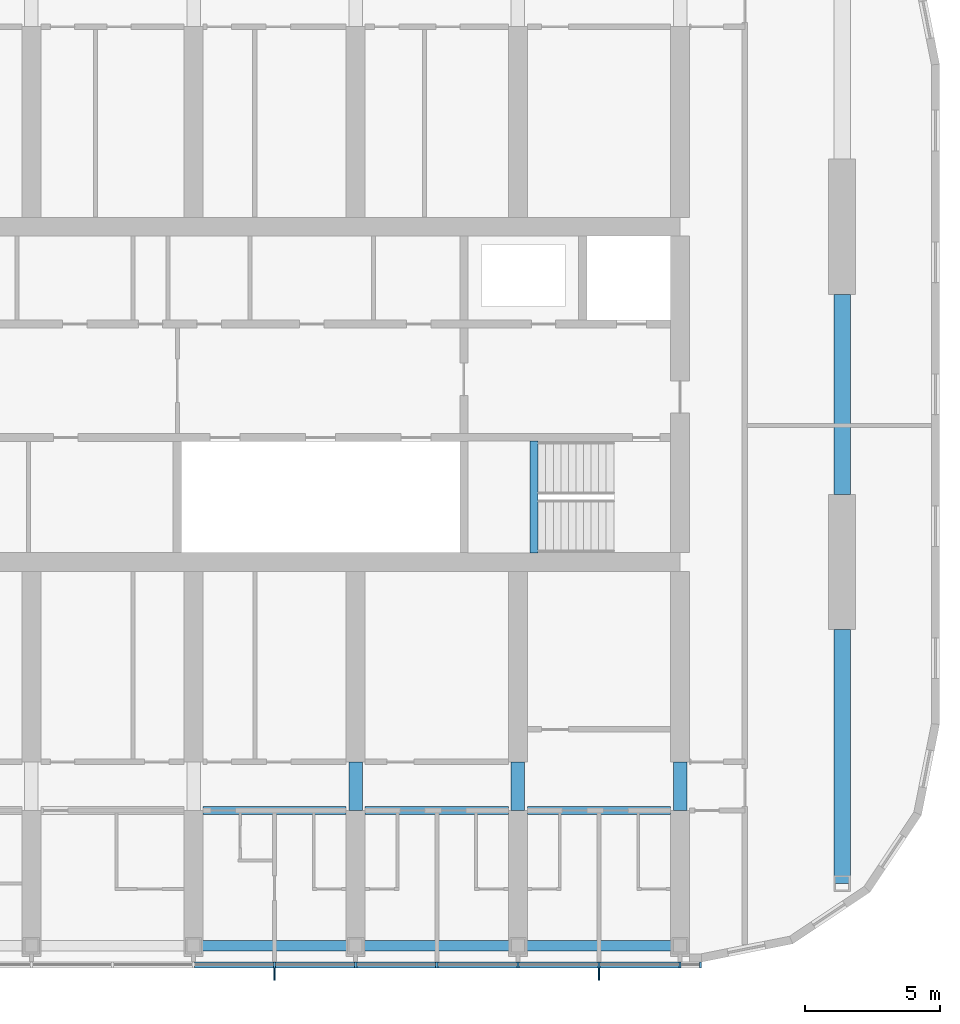
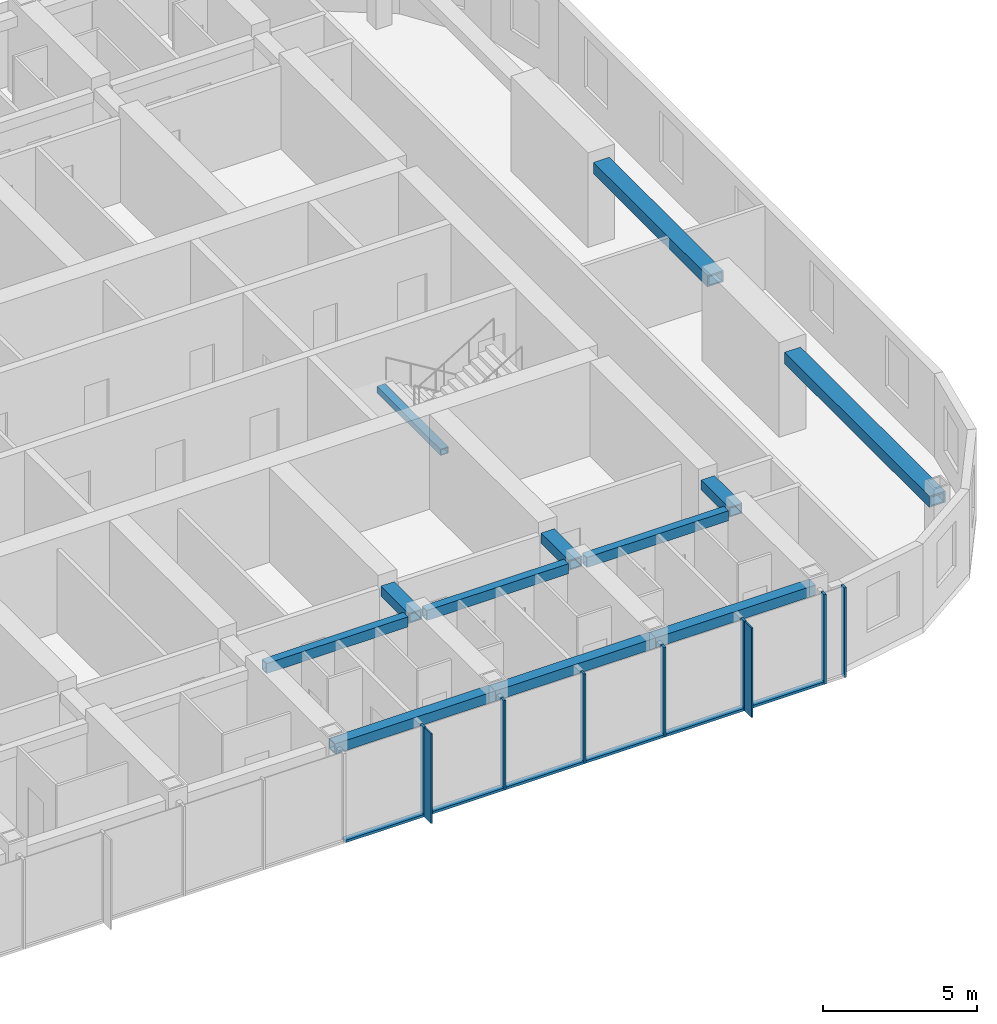
# One storey, part 3 of 24: 15 members, 12 beams, 1 element without a shape of its own.
"""IFC4 building model written with IfcOpenShell, lengths in metres."""

import ifcopenshell
import ifcopenshell.guid

model = None  # the IFC model being written
_history = None  # IfcOwnerHistory: only IFC2X3 demands one
_inside = {}  # id of a spatial element -> (the spatial element, [elements in it])
_under = {}  # id of a project, library or spatial element -> (it, [spatial elements below it])
_declared = {}  # id of a project -> (the project, [libraries it declares])
_typed = {}  # id of a type object -> (the type object, [elements of that type])
_made_of = {}  # id of a material, layer set ... -> (it, [elements and type objects made of it])


def new_model(schema):
    """Start an empty IFC model of exactly this schema.

    Asked for "IFC4X3", IfcOpenShell would pick the latest addendum, in which some entities
    have other attributes; the version numbers below select the first issue.
    IFC2X3 requires an IfcOwnerHistory on every rooted entity: one is made here for all.
    """
    global model, _history
    if schema == "IFC4X3":
        model = ifcopenshell.file(schema_version=(4, 3, 0, 0))
    else:
        model = ifcopenshell.file(schema=schema)
    _inside.clear()
    _under.clear()
    _declared.clear()
    _typed.clear()
    _made_of.clear()
    _history = None
    if model.schema == "IFC2X3":
        org = make("IfcOrganization", Name="unknown")
        user = make(
            "IfcPersonAndOrganization",
            ThePerson=make("IfcPerson", FamilyName="unknown"),
            TheOrganization=org,
        )
        app = make(
            "IfcApplication",
            ApplicationDeveloper=org,
            Version="unknown",
            ApplicationFullName="unknown",
            ApplicationIdentifier="unknown",
        )
        _history = make(
            "IfcOwnerHistory",
            OwningUser=user,
            OwningApplication=app,
            ChangeAction="ADDED",
            CreationDate=0,
        )
    return model


def make(cls, **values):
    """One entity of the class cls with the attributes given. An attribute that is None is left unset."""
    return model.create_entity(
        cls, **{name: value for name, value in values.items() if value is not None}
    )


def rooted(cls, **values):
    """An entity with a GlobalId (a new one), such as an element, a storey or a relation."""
    return make(cls, GlobalId=ifcopenshell.guid.new(), OwnerHistory=_history, **values)


def si_unit(unit_type, name, prefix=None):
    """IfcSIUnit, for example si_unit("LENGTHUNIT", "METRE", prefix="MILLI")."""
    return make("IfcSIUnit", UnitType=unit_type, Prefix=prefix, Name=name)


def assignment(units):
    """IfcUnitAssignment: the units of a project."""
    return None if units is None else make("IfcUnitAssignment", Units=units)


def point(xyz):
    """IfcCartesianPoint."""
    return None if xyz is None else make("IfcCartesianPoint", Coordinates=xyz)


def direction(xyz):
    """IfcDirection."""
    return None if xyz is None else make("IfcDirection", DirectionRatios=xyz)


def frame(location, z_axis=None, x_axis=None):
    """IfcAxis2Placement3D, a coordinate frame: its origin and axes. An axis left out is left unset."""
    return make(
        "IfcAxis2Placement3D",
        Location=point(location),
        Axis=direction(z_axis),
        RefDirection=direction(x_axis),
    )


def frame_2d(location, x_axis=None):
    """IfcAxis2Placement2D, a coordinate frame in the plane: its origin and x axis."""
    return make(
        "IfcAxis2Placement2D", Location=point(location), RefDirection=direction(x_axis)
    )


def origin():
    """The frame at (0, 0, 0) with its axes left unset."""
    return frame((0.0, 0.0, 0.0))


def origin_2d():
    """The frame at (0, 0) in the plane with its x axis left unset."""
    return frame_2d((0.0, 0.0))


def place(relative_to, where):
    """IfcLocalPlacement: puts the frame where relative to a parent placement (None: the world)."""
    return make(
        "IfcLocalPlacement", PlacementRelTo=relative_to, RelativePlacement=where
    )


def context(
    kind, dimensions, precision=None, world=None, true_north=None, identifier=None
):
    """IfcGeometricRepresentationContext, for example the 3D "Model" context."""
    return make(
        "IfcGeometricRepresentationContext",
        ContextIdentifier=identifier,
        ContextType=kind,
        CoordinateSpaceDimension=dimensions,
        Precision=precision,
        WorldCoordinateSystem=world,
        TrueNorth=true_north,
    )


def subcontext(parent, identifier, kind, view, scale=None):
    """IfcGeometricRepresentationSubContext, for example "Body" below "Model"."""
    return make(
        "IfcGeometricRepresentationSubContext",
        ContextIdentifier=identifier,
        ContextType=kind,
        ParentContext=parent,
        TargetScale=scale,
        TargetView=view,
    )


def project(units=None, contexts=None):
    """IfcProject with its units and contexts."""
    return rooted(
        "IfcProject",
        Name="project",
        RepresentationContexts=contexts,
        UnitsInContext=assignment(units),
    )


def spatial(cls, under=None, at=None, **own):
    """A site, building, storey or space (cls), placed at a placement, below another one or the project."""
    s = rooted(cls, ObjectPlacement=at, **own)
    if under is not None:
        _under.setdefault(under.id(), (under, []))[1].append(s)
    return s


def profile(cls, at=None, kind="AREA", **sizes):
    """A parametric profile (cls). Its sizes go by their IFC names, for example OverallWidth=200.0."""
    return make(cls, ProfileType=kind, Position=at, **sizes)


def rectangle(**sizes):
    """IfcRectangleProfileDef."""
    return profile("IfcRectangleProfileDef", **sizes)


def hollow_rectangle(**sizes):
    """IfcRectangleHollowProfileDef."""
    return profile("IfcRectangleHollowProfileDef", **sizes)


def extrude(swept, where, along, depth):
    """IfcExtrudedAreaSolid: the profile swept, set in the frame where, extruded along a direction by depth."""
    return make(
        "IfcExtrudedAreaSolid",
        SweptArea=swept,
        Position=where,
        ExtrudedDirection=direction(along),
        Depth=depth,
    )


def shape(context_of_items, identifier, shape_type, items):
    """IfcShapeRepresentation: the items that make up one representation, for example the "Body"."""
    return make(
        "IfcShapeRepresentation",
        ContextOfItems=context_of_items,
        RepresentationIdentifier=identifier,
        RepresentationType=shape_type,
        Items=items,
    )


def material(Name=None, Category=None):
    """IfcMaterial."""
    return make("IfcMaterial", Name=Name, Category=Category)


def material_profile(
    of_material, cross_section, Name=None, Category=None, Priority=None
):
    """IfcMaterialProfile: a cross section and its material."""
    return make(
        "IfcMaterialProfile",
        Name=Name,
        Material=of_material,
        Profile=cross_section,
        Priority=Priority,
        Category=Category,
    )


def profile_set(profiles, Name=None, composite=None):
    """IfcMaterialProfileSet."""
    return make(
        "IfcMaterialProfileSet",
        Name=Name,
        MaterialProfiles=profiles,
        CompositeProfile=composite,
    )


def made_of(thing, what):
    """Note that an element or type object is made of a material, layer set ...; save() writes the relation."""
    if what is not None:
        _made_of.setdefault(what.id(), (what, []))[1].append(thing)
    return thing


def type_object(cls, material=None, **own):
    """A type object (cls), such as IfcWallType, which elements share."""
    return made_of(rooted(cls, **own), material)


def element(
    cls,
    number,
    at=None,
    inside=None,
    cuts=None,
    type_object=None,
    material=None,
    context=None,
    identifier="Body",
    shape_type=None,
    held_by="IfcProductDefinitionShape",
    body=None,
    shapes=None,
    **own,
):
    """One element of the class cls, such as IfcWall. Its Tag is "e" and its number.

    at: its placement. inside: the storey or other place that contains it. cuts: it is an
    opening in that element (IfcRelVoidsElement). A single representation is given by context,
    identifier, shape_type and body (its items); several are given by shapes. held_by: the class
    of the entity that holds the representations. save() writes the other relations.
    """
    e = rooted(cls, Tag="e%d" % number, ObjectPlacement=at, **own)
    if body is not None:
        shapes = [shape(context, identifier, shape_type, body)]
    if shapes is not None:
        e.Representation = make(held_by, Representations=shapes)
    if inside is not None:
        _inside.setdefault(inside.id(), (inside, []))[1].append(e)
    if cuts is not None:
        rooted(
            "IfcRelVoidsElement", RelatingBuildingElement=cuts, RelatedOpeningElement=e
        )
    if type_object is not None:
        _typed.setdefault(type_object.id(), (type_object, []))[1].append(e)
    return made_of(e, material)


def aggregate(whole, parts):
    """IfcRelAggregates: a whole, such as a stair, and the parts it consists of."""
    return rooted("IfcRelAggregates", RelatingObject=whole, RelatedObjects=parts)


def save(model, path):
    """Write the relations noted so far, then the file.

    IfcRelAggregates (storeys below a building ...), IfcRelContainedInSpatialStructure (elements
    in a storey), IfcRelDefinesByType, IfcRelAssociatesMaterial and IfcRelDeclares: one each for
    every whole, place, type object, material and project.
    """
    for whole, parts in _under.values():
        aggregate(whole, parts)
    for where, things in _inside.values():
        rooted(
            "IfcRelContainedInSpatialStructure",
            RelatedElements=things,
            RelatingStructure=where,
        )
    for kind, things in _typed.values():
        rooted("IfcRelDefinesByType", RelatedObjects=things, RelatingType=kind)
    for what, things in _made_of.values():
        rooted("IfcRelAssociatesMaterial", RelatedObjects=things, RelatingMaterial=what)
    for by, libraries in _declared.values():
        rooted("IfcRelDeclares", RelatingContext=by, RelatedDefinitions=libraries)
    model.write(path)


model = new_model("IFC4")

# Units and contexts
model_context = context("Model", 3, precision=1e-05, world=origin(), true_north=direction((0.0, 1.0)))
body_context = subcontext(model_context, "Body", "Model", "MODEL_VIEW")
ifc_project = project(units=[si_unit("LENGTHUNIT", "METRE"), si_unit("AREAUNIT", "SQUARE_METRE"), si_unit("VOLUMEUNIT", "CUBIC_METRE"), si_unit("PLANEANGLEUNIT", "RADIAN"), si_unit("MASSUNIT", "GRAM", prefix="KILO")], contexts=[model_context])

# Site, building, storey
site_placement = place(None, origin())
site = spatial("IfcSite", under=ifc_project, at=site_placement, CompositionType="ELEMENT")
building_placement = place(site_placement, origin())
building = spatial("IfcBuilding", under=site, at=building_placement, Name="Orbita Commons", CompositionType="ELEMENT")
storey_placement = place(building_placement, frame((0.0, 0.0, 242.800048828125)))
storey = spatial("IfcBuildingStorey", under=building, at=storey_placement, Name="L60", CompositionType="ELEMENT", Elevation=242.800048828125)

# Curtain wall, members
ifc_material_1 = material(Name="Anodised aluminium frame, pale silver", Category="aluminium")
curtain_wall_type = type_object("IfcCurtainWallType", Name="Unitised curtain wall CW-U, full-height vision", PredefinedType="NOTDEFINED", material=ifc_material_1)
curtain_wall_placement = place(storey_placement, origin())
curtain_wall = element("IfcCurtainWall", 1, at=curtain_wall_placement, inside=storey, type_object=curtain_wall_type, Name="Curtain wall south L60", PredefinedType="NOTDEFINED")
ifc_material_2 = material(Name="Anodised aluminium, pale silver", Category="aluminium")
ifc_material_profile_1 = material_profile(ifc_material_2, rectangle(XDim=0.080078125, YDim=0.219970703125, at=origin_2d()), Name="AL 80x220")
ifc_profile_set_1 = profile_set([ifc_material_profile_1], Name="Anodised aluminium, pale silver")
member_type_1 = type_object("IfcMemberType", Name="Curtain wall mullion 80x220", PredefinedType="MULLION", material=ifc_profile_set_1)
member_1_placement = place(storey_placement, frame((51.0, 10.889892578125, -0.25), z_axis=(0.0, 0.0, 1.0), x_axis=(1.0, 0.0, 0.0)))
member_1 = element("IfcMember", 2, at=member_1_placement, type_object=member_type_1, Name="Mullion 13 CW-L60-S", PredefinedType="MULLION", context=body_context, shape_type="SweptSolid", body=[
    extrude(rectangle(XDim=0.080078125, YDim=0.219970703125, at=origin_2d()), origin(), (0.0, 0.0, 1.0), 3.550048828125),
])
member_2_placement = place(storey_placement, frame((54.0, 10.889892578125, -0.25), z_axis=(0.0, 0.0, 1.0), x_axis=(1.0, 0.0, 0.0)))
member_2 = element("IfcMember", 3, at=member_2_placement, type_object=member_type_1, Name="Mullion 14 CW-L60-S", PredefinedType="MULLION", context=body_context, shape_type="SweptSolid", body=[
    extrude(rectangle(XDim=0.080078125, YDim=0.219970703125, at=origin_2d()), origin(), (0.0, 0.0, 1.0), 3.550048828125),
])
member_3_placement = place(storey_placement, frame((57.0, 10.889892578125, -0.25), z_axis=(0.0, 0.0, 1.0), x_axis=(1.0, 0.0, 0.0)))
member_3 = element("IfcMember", 4, at=member_3_placement, type_object=member_type_1, Name="Mullion 15 CW-L60-S", PredefinedType="MULLION", context=body_context, shape_type="SweptSolid", body=[
    extrude(rectangle(XDim=0.080078125, YDim=0.219970703125, at=origin_2d()), origin(), (0.0, 0.0, 1.0), 3.550048828125),
])
member_4_placement = place(storey_placement, frame((60.0, 10.889892578125, -0.25), z_axis=(0.0, 0.0, 1.0), x_axis=(1.0, 0.0, 0.0)))
member_4 = element("IfcMember", 5, at=member_4_placement, type_object=member_type_1, Name="Mullion 16 CW-L60-S", PredefinedType="MULLION", context=body_context, shape_type="SweptSolid", body=[
    extrude(rectangle(XDim=0.080078125, YDim=0.219970703125, at=origin_2d()), origin(), (0.0, 0.0, 1.0), 3.550048828125),
])
member_5_placement = place(storey_placement, frame((63.0, 10.889892578125, -0.25), z_axis=(0.0, 0.0, 1.0), x_axis=(1.0, 0.0, 0.0)))
member_5 = element("IfcMember", 6, at=member_5_placement, type_object=member_type_1, Name="Mullion 17 CW-L60-S", PredefinedType="MULLION", context=body_context, shape_type="SweptSolid", body=[
    extrude(rectangle(XDim=0.080078125, YDim=0.219970703125, at=origin_2d()), origin(), (0.0, 0.0, 1.0), 3.550048828125),
])
member_6_placement = place(storey_placement, frame((66.0, 10.889892578125, -0.25), z_axis=(0.0, 0.0, 1.0), x_axis=(1.0, 0.0, 0.0)))
member_6 = element("IfcMember", 7, at=member_6_placement, type_object=member_type_1, Name="Mullion 18 CW-L60-S", PredefinedType="MULLION", context=body_context, shape_type="SweptSolid", body=[
    extrude(rectangle(XDim=0.080078125, YDim=0.219970703125, at=origin_2d()), origin(), (0.0, 0.0, 1.0), 3.550048828125),
])
member_7_placement = place(storey_placement, frame((66.760009765625, 10.889892578125, -0.25), z_axis=(0.0, 0.0, 1.0), x_axis=(1.0, 0.0, 0.0)))
member_7 = element("IfcMember", 8, at=member_7_placement, type_object=member_type_1, Name="Mullion 19 CW-L60-S", PredefinedType="MULLION", context=body_context, shape_type="SweptSolid", body=[
    extrude(rectangle(XDim=0.080078125, YDim=0.219970703125, at=origin_2d()), origin(), (0.0, 0.0, 1.0), 3.550048828125),
])
ifc_material_3 = material(Name="Anodised aluminium, pale silver", Category="aluminium")
ifc_material_profile_2 = material_profile(ifc_material_3, rectangle(XDim=0.219970703125, YDim=0.10009765625, at=origin_2d()), Name="AL 220x100")
ifc_profile_set_2 = profile_set([ifc_material_profile_2], Name="Anodised aluminium, pale silver")
member_type_2 = type_object("IfcMemberType", Name="Curtain wall stack transom 220x100", PredefinedType="USERDEFINED", material=ifc_profile_set_2)
member_8_placement = place(storey_placement, frame((48.0400390625, 10.889892578125, -0.199951171875), z_axis=(1.0, 0.0, 0.0), x_axis=(0.0, 1.0, 0.0)))
member_8 = element("IfcMember", 9, at=member_8_placement, type_object=member_type_2, Name="Transom 12.1 CW-L60-S", ObjectType="TRANSOM", PredefinedType="USERDEFINED", context=body_context, shape_type="SweptSolid", body=[
    extrude(rectangle(XDim=0.219970703125, YDim=0.10009765625, at=origin_2d()), origin(), (0.0, 0.0, 1.0), 2.919921875),
])
member_9_placement = place(storey_placement, frame((51.0400390625, 10.889892578125, -0.199951171875), z_axis=(1.0, 0.0, 0.0), x_axis=(0.0, 1.0, 0.0)))
member_9 = element("IfcMember", 10, at=member_9_placement, type_object=member_type_2, Name="Transom 13.1 CW-L60-S", ObjectType="TRANSOM", PredefinedType="USERDEFINED", context=body_context, shape_type="SweptSolid", body=[
    extrude(rectangle(XDim=0.219970703125, YDim=0.10009765625, at=origin_2d()), origin(), (0.0, 0.0, 1.0), 2.919921875),
])
member_10_placement = place(storey_placement, frame((54.0400390625, 10.889892578125, -0.199951171875), z_axis=(1.0, 0.0, 0.0), x_axis=(0.0, 1.0, 0.0)))
member_10 = element("IfcMember", 11, at=member_10_placement, type_object=member_type_2, Name="Transom 14.1 CW-L60-S", ObjectType="TRANSOM", PredefinedType="USERDEFINED", context=body_context, shape_type="SweptSolid", body=[
    extrude(rectangle(XDim=0.219970703125, YDim=0.10009765625, at=origin_2d()), origin(), (0.0, 0.0, 1.0), 2.919921875),
])
member_11_placement = place(storey_placement, frame((57.0400390625, 10.889892578125, -0.199951171875), z_axis=(1.0, 0.0, 0.0), x_axis=(0.0, 1.0, 0.0)))
member_11 = element("IfcMember", 12, at=member_11_placement, type_object=member_type_2, Name="Transom 15.1 CW-L60-S", ObjectType="TRANSOM", PredefinedType="USERDEFINED", context=body_context, shape_type="SweptSolid", body=[
    extrude(rectangle(XDim=0.219970703125, YDim=0.10009765625, at=origin_2d()), origin(), (0.0, 0.0, 1.0), 2.919921875),
])
member_12_placement = place(storey_placement, frame((60.0400390625, 10.889892578125, -0.199951171875), z_axis=(1.0, 0.0, 0.0), x_axis=(0.0, 1.0, 0.0)))
member_12 = element("IfcMember", 13, at=member_12_placement, type_object=member_type_2, Name="Transom 16.1 CW-L60-S", ObjectType="TRANSOM", PredefinedType="USERDEFINED", context=body_context, shape_type="SweptSolid", body=[
    extrude(rectangle(XDim=0.219970703125, YDim=0.10009765625, at=origin_2d()), origin(), (0.0, 0.0, 1.0), 2.919921875),
])
member_13_placement = place(storey_placement, frame((63.0400390625, 10.889892578125, -0.199951171875), z_axis=(1.0, 0.0, 0.0), x_axis=(0.0, 1.0, 0.0)))
member_13 = element("IfcMember", 14, at=member_13_placement, type_object=member_type_2, Name="Transom 17.1 CW-L60-S", ObjectType="TRANSOM", PredefinedType="USERDEFINED", context=body_context, shape_type="SweptSolid", body=[
    extrude(rectangle(XDim=0.219970703125, YDim=0.10009765625, at=origin_2d()), origin(), (0.0, 0.0, 1.0), 2.919921875),
])

# Beams
ifc_material_4 = material(Name="Steel ASTM A572 Gr 50 welded plate", Category="steel")
ifc_material_profile_3 = material_profile(ifc_material_4, hollow_rectangle(XDim=0.300048828125, YDim=0.25, WallThickness=0.02490234375, at=origin_2d()), Name="BOX 250x300x25")
ifc_profile_set_3 = profile_set([ifc_material_profile_3], Name="Steel ASTM A572 Gr 50 welded plate")
beam_type_1 = type_object("IfcBeamType", Name="Stair landing beam steel BOX 250x300x25", PredefinedType="BEAM", material=ifc_profile_set_3)
beam_1_placement = place(storey_placement, frame((60.60009765625, 26.135009765625, 1.550048828125), z_axis=(0.0, 1.0, 0.0), x_axis=(-1.0, 0.0, 0.0)))
element("IfcBeam", 15, at=beam_1_placement, inside=storey, type_object=beam_type_1, Name="Stair S2 landing beam L60 1", PredefinedType="BEAM", context=body_context, shape_type="SweptSolid", body=[
    extrude(hollow_rectangle(XDim=0.300048828125, YDim=0.25, WallThickness=0.02490234375, at=origin_2d()), origin(), (0.0, 0.0, 1.0), 4.1298828125),
])
ifc_material_5 = material(Name="Steel ASTM A572 Gr 50 welded plate", Category="steel")
ifc_material_profile_4 = material_profile(ifc_material_5, hollow_rectangle(XDim=0.300048828125, YDim=0.39990234375, WallThickness=0.0400390625, at=origin_2d()), Name="BOX 400x300x40")
ifc_profile_set_4 = profile_set([ifc_material_profile_4], Name="Steel ASTM A572 Gr 50 welded plate")
beam_type_2 = type_object("IfcBeamType", Name="Steel corridor link BOX 400x300x40", PredefinedType="BEAM", material=ifc_profile_set_4)
for number, where, z_axis, x_axis, name in (
    (16, (48.35009765625, 16.60009765625, 3.099853515625), (1.0, 0.0, 0.0), (0.0, 1.0, 0.0), "Corridor beam SA 9-10 L60"),
    (17, (54.35009765625, 16.60009765625, 3.099853515625), (1.0, 0.0, 0.0), (0.0, 1.0, 0.0), "Corridor beam SA 10-11 L60"),
    (18, (60.35009765625, 16.60009765625, 3.099853515625), (1.0, 0.0, 0.0), (0.0, 1.0, 0.0), "Corridor beam SA 11-12 L60"),
):
    element("IfcBeam", number, at=place(storey_placement, frame(where, z_axis=z_axis, x_axis=x_axis)), inside=storey, type_object=beam_type_2, Name=name, PredefinedType="BEAM", context=body_context, shape_type="SweptSolid", body=[
        extrude(hollow_rectangle(XDim=0.300048828125, YDim=0.39990234375, WallThickness=0.0400390625, at=origin_2d()), origin(), (0.0, 0.0, 1.0), 5.2998046875),
    ])
ifc_material_6 = material(Name="Steel ASTM A572 Gr 50 welded plate", Category="steel")
ifc_material_profile_5 = material_profile(ifc_material_6, hollow_rectangle(XDim=0.5, YDim=0.39990234375, WallThickness=0.050048828125, at=origin_2d()), Name="BOX 400x500x50")
ifc_profile_set_5 = profile_set([ifc_material_profile_5], Name="Steel ASTM A572 Gr 50 welded plate")
beam_type_3 = type_object("IfcBeamType", Name="Steel coupling link BOX 400x500x50", PredefinedType="LINTEL", material=ifc_profile_set_5)
for number, where, z_axis, x_axis, name in (
    (19, (54.0, 16.60009765625, 3.099853515625), (0.0, 1.0, 0.0), (-1.0, 0.0, 0.0), "Coupling beam 10 south L60"),
    (20, (60.0, 16.60009765625, 3.099853515625), (0.0, 1.0, 0.0), (-1.0, 0.0, 0.0), "Coupling beam 11 south L60"),
    (21, (66.0, 16.60009765625, 3.099853515625), (0.0, 1.0, 0.0), (-1.0, 0.0, 0.0), "Coupling beam 12 south L60"),
):
    element("IfcBeam", number, at=place(storey_placement, frame(where, z_axis=z_axis, x_axis=x_axis)), inside=storey, type_object=beam_type_3, Name=name, PredefinedType="LINTEL", context=body_context, shape_type="SweptSolid", body=[
        extrude(hollow_rectangle(XDim=0.5, YDim=0.39990234375, WallThickness=0.050048828125, at=origin_2d()), origin(), (0.0, 0.0, 1.0), 1.7998046875),
    ])
ifc_material_7 = material(Name="Steel ASTM A572 Gr 50 welded plate", Category="steel")
ifc_material_profile_6 = material_profile(ifc_material_7, hollow_rectangle(XDim=0.60009765625, YDim=0.449951171875, WallThickness=0.06005859375, at=origin_2d()), Name="BOX 450x600x60")
ifc_profile_set_6 = profile_set([ifc_material_profile_6], Name="Steel ASTM A572 Gr 50 welded plate")
beam_type_4 = type_object("IfcBeamType", Name="Steel end frame link BOX 450x600x60", PredefinedType="BEAM", material=ifc_profile_set_6)
beam_2_placement = place(storey_placement, frame((72.0, 13.89990234375, 3.074951171875), z_axis=(0.0, 1.0, 0.0), x_axis=(-1.0, 0.0, 0.0)))
element("IfcBeam", 22, at=beam_2_placement, inside=storey, type_object=beam_type_4, Name="End frame beam 13 B-C L60", PredefinedType="BEAM", context=body_context, shape_type="SweptSolid", body=[
    extrude(hollow_rectangle(XDim=0.60009765625, YDim=0.449951171875, WallThickness=0.06005859375, at=origin_2d()), origin(), (0.0, 0.0, 1.0), 9.400146484375),
])
beam_3_placement = place(storey_placement, frame((72.0, 28.300048828125, 3.074951171875), z_axis=(0.0, 1.0, 0.0), x_axis=(-1.0, 0.0, 0.0)))
element("IfcBeam", 23, at=beam_3_placement, inside=storey, type_object=beam_type_4, Name="End frame beam 13 C-D L60", PredefinedType="BEAM", context=body_context, shape_type="SweptSolid", body=[
    extrude(hollow_rectangle(XDim=0.60009765625, YDim=0.449951171875, WallThickness=0.06005859375, at=origin_2d()), origin(), (0.0, 0.0, 1.0), 7.39990234375),
])
ifc_material_8 = material(Name="Steel ASTM A572 Gr 50 welded plate", Category="steel")
ifc_material_profile_7 = material_profile(ifc_material_8, hollow_rectangle(XDim=0.39990234375, YDim=0.39990234375, WallThickness=0.0400390625, at=origin_2d()), Name="BOX 400x400x40")
ifc_profile_set_7 = profile_set([ifc_material_profile_7], Name="Steel ASTM A572 Gr 50 welded plate")
beam_type_5 = type_object("IfcBeamType", Name="Steel spandrel BOX 400x400x40", PredefinedType="SPANDREL", material=ifc_profile_set_7)
for number, where, z_axis, x_axis, name in (
    (24, (48.0, 11.60009765625, 3.099853515625), (1.0, 0.0, 0.0), (0.0, 1.0, 0.0), "Spandrel beam B 9-10 L60"),
    (25, (54.0, 11.60009765625, 3.099853515625), (1.0, 0.0, 0.0), (0.0, 1.0, 0.0), "Spandrel beam B 10-11 L60"),
    (26, (60.0, 11.60009765625, 3.099853515625), (1.0, 0.0, 0.0), (0.0, 1.0, 0.0), "Spandrel beam B 11-12 L60"),
):
    element("IfcBeam", number, at=place(storey_placement, frame(where, z_axis=z_axis, x_axis=x_axis)), inside=storey, type_object=beam_type_5, Name=name, PredefinedType="SPANDREL", context=body_context, shape_type="SweptSolid", body=[
        extrude(hollow_rectangle(XDim=0.39990234375, YDim=0.39990234375, WallThickness=0.0400390625, at=origin_2d()), origin(), (0.0, 0.0, 1.0), 6.0),
    ])

# Member
ifc_material_9 = material(Name="Anodised aluminium, pale silver", Category="aluminium")
ifc_material_profile_8 = material_profile(ifc_material_9, rectangle(XDim=0.06005859375, YDim=0.449951171875, at=origin_2d()), Name="FIN 60x450")
ifc_profile_set_8 = profile_set([ifc_material_profile_8], Name="Anodised aluminium, pale silver")
member_type_3 = type_object("IfcMemberType", Name="Vertical fin 60x450 pale aluminium", PredefinedType="USERDEFINED", material=ifc_profile_set_8)
member_14_placement = place(storey_placement, frame((51.0, 10.554931640625, -0.25), z_axis=(0.0, 0.0, 1.0), x_axis=(1.0, 0.0, 0.0)))
member_14 = element("IfcMember", 27, at=member_14_placement, type_object=member_type_3, Name="Fin 13 CW-L60-S", ObjectType="FIN", PredefinedType="USERDEFINED", context=body_context, shape_type="SweptSolid", body=[
    extrude(rectangle(XDim=0.06005859375, YDim=0.449951171875, at=origin_2d()), origin(), (0.0, 0.0, 1.0), 3.550048828125),
])

member_15_placement = place(storey_placement, frame((63.0, 10.554931640625, -0.25), z_axis=(0.0, 0.0, 1.0), x_axis=(1.0, 0.0, 0.0)))
member_15 = element("IfcMember", 28, at=member_15_placement, type_object=member_type_3, Name="Fin 17 CW-L60-S", ObjectType="FIN", PredefinedType="USERDEFINED", context=body_context, shape_type="SweptSolid", body=[
    extrude(rectangle(XDim=0.06005859375, YDim=0.449951171875, at=origin_2d()), origin(), (0.0, 0.0, 1.0), 3.550048828125),
])

aggregate(curtain_wall, [member_1, member_14, member_2, member_3, member_4, member_5, member_15, member_6, member_7, member_8, member_9, member_10, member_11, member_12, member_13])

save(model, "model.ifc")
